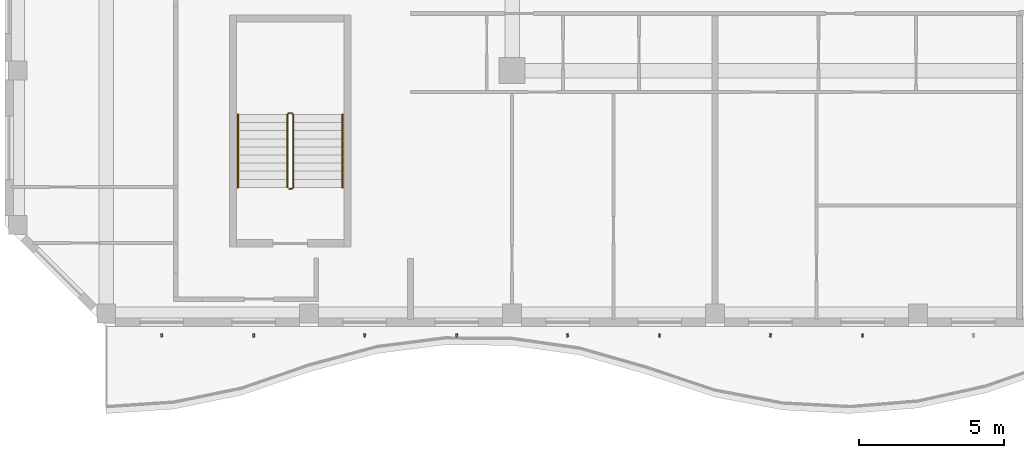
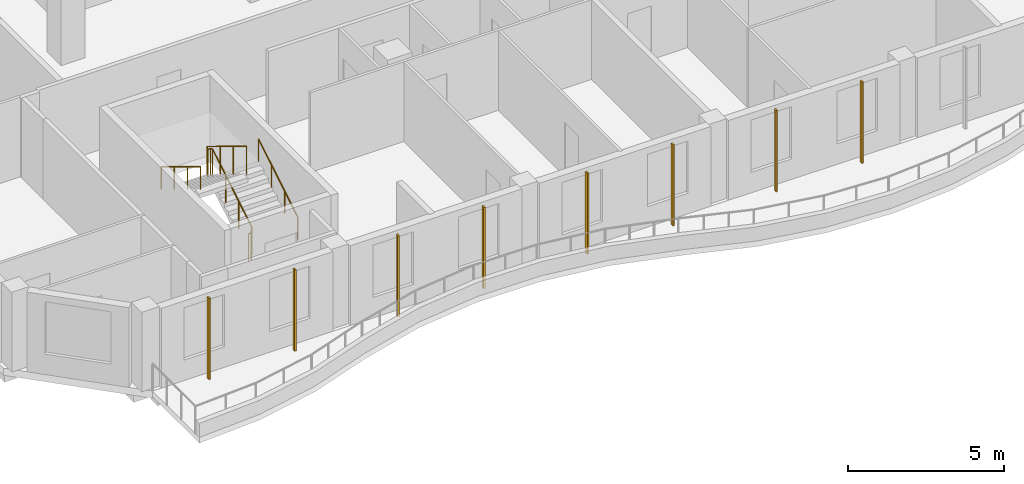
# One storey, part 12 of 18: 8 shading devices, 3 railings.
"""IFC4 building model written with IfcOpenShell, lengths in metres."""

from ifc_helpers import new_model, si_unit, direction, frame, origin, origin_2d, place, context, subcontext, project, spatial, rectangle, circle, extrude, source, transform, mapped, material, material_profile, profile_set, type_object, element, save


model = new_model("IFC4")

# Units and contexts
model_context = context("Model", 3, precision=1e-05, world=origin(), true_north=direction((0.0, 1.0)))
body_context = subcontext(model_context, "Body", "Model", "MODEL_VIEW")
ifc_project = project(units=[si_unit("LENGTHUNIT", "METRE"), si_unit("AREAUNIT", "SQUARE_METRE"), si_unit("VOLUMEUNIT", "CUBIC_METRE"), si_unit("PLANEANGLEUNIT", "RADIAN"), si_unit("MASSUNIT", "GRAM", prefix="KILO")], contexts=[model_context])

# Site, building, storey
site_placement = place(None, origin())
site = spatial("IfcSite", under=ifc_project, at=site_placement, CompositionType="ELEMENT")
building_placement = place(site_placement, origin())
building = spatial("IfcBuilding", under=site, at=building_placement, Name="Kilnfold Tower and Market Hall", CompositionType="ELEMENT")
storey_placement = place(building_placement, frame((0.0, 0.0, 277.199951171875)))
storey = spatial("IfcBuildingStorey", under=building, at=storey_placement, Name="L68", CompositionType="ELEMENT", Elevation=277.199951171875)

# Railings
ifc_material_1 = material(Name="Stainless steel 316", Category="steel")
railing_type_1 = type_object("IfcRailingType", Name="CORE STAIR GUARD 1100", PredefinedType="GUARDRAIL", material=ifc_material_1)
railing_1_placement = place(storey_placement, frame((-15.699951171875, -13.75, 0.0)))
element("IfcRailing", 1, at=railing_1_placement, inside=storey, type_object=railing_type_1, Name="L68 ST3 stair guard 1", PredefinedType="GUARDRAIL", context=body_context, shape_type="SweptSolid", body=[
    extrude(circle(Radius=0.02392578125, at=origin_2d()), frame((0.0, 0.0, 1.076171875), z_axis=(1.0, 0.0, 0.0), x_axis=(0.0, 1.0, 0.0)), (0.0, 0.0, 1.0), 0.099853515625),
    extrude(circle(Radius=0.02392578125, at=origin_2d()), frame((0.099853515625, 0.0, 1.076171875), z_axis=(0.271562723297, 0.271562723297, 0.923313259209), x_axis=(-0.707106781187, 0.707106781187, 0.0)), (0.0, 0.0, 1.0), 0.184326171875),
    extrude(circle(Radius=0.02392578125, at=origin_2d()), frame((0.14990234375, 0.050048828125, 1.24609375), z_axis=(0.0, 0.854821627497, 0.518921945155), x_axis=(-1.0, 0.0, 0.0)), (0.0, 0.0, 1.0), 2.947998046875),
    extrude(circle(Radius=0.02392578125, at=origin_2d()), frame((0.14990234375, 2.570068359375, 2.77587890625), z_axis=(-0.707106781187, 0.707106781187, 0.0), x_axis=(-0.707106781187, -0.707106781187, 0.0)), (0.0, 0.0, 1.0), 0.07080078125),
    extrude(circle(Radius=0.02392578125, at=origin_2d()), frame((0.099853515625, 2.6201171875, 2.77587890625), z_axis=(-1.0, 0.0, 0.0), x_axis=(0.0, -1.0, 0.0)), (0.0, 0.0, 1.0), 0.099853515625),
    extrude(circle(Radius=0.02392578125, at=origin_2d()), frame((0.0, 2.6201171875, 2.77587890625), z_axis=(-0.271562723297, -0.271562723297, 0.923313259209), x_axis=(0.707106781187, -0.707106781187, 0.0)), (0.0, 0.0, 1.0), 0.184326171875),
    extrude(circle(Radius=0.02392578125, at=origin_2d()), frame((-0.050048828125, 2.570068359375, 2.9462890625), z_axis=(0.0, -0.85478489116, 0.518982456201), x_axis=(1.0, 0.0, 0.0)), (0.0, 0.0, 1.0), 2.9482421875),
    extrude(circle(Radius=0.02099609375, at=origin_2d()), origin(), (0.0, 0.0, 1.0), 1.052001953125),
    extrude(circle(Radius=0.02099609375, at=origin_2d()), frame((0.099853515625, 0.0, 0.0)), (0.0, 0.0, 1.0), 1.052001953125),
    extrude(circle(Radius=0.02099609375, at=origin_2d()), frame((0.14990234375, 0.050048828125, 0.170166015625)), (0.0, 0.0, 1.0), 1.052001953125),
    extrude(circle(Radius=0.02099609375, at=origin_2d()), frame((0.14990234375, 0.89013671875, 0.68017578125)), (0.0, 0.0, 1.0), 1.052001953125),
    extrude(circle(Radius=0.02099609375, at=origin_2d()), frame((0.14990234375, 1.72998046875, 1.18994140625)), (0.0, 0.0, 1.0), 1.052001953125),
    extrude(circle(Radius=0.02099609375, at=origin_2d()), frame((0.14990234375, 2.570068359375, 1.699951171875)), (0.0, 0.0, 1.0), 1.052001953125),
    extrude(circle(Radius=0.02099609375, at=origin_2d()), frame((0.099853515625, 2.6201171875, 1.699951171875)), (0.0, 0.0, 1.0), 1.052001953125),
    extrude(circle(Radius=0.02099609375, at=origin_2d()), frame((0.0, 2.6201171875, 1.699951171875)), (0.0, 0.0, 1.0), 1.052001953125),
    extrude(circle(Radius=0.02099609375, at=origin_2d()), frame((-0.050048828125, 2.570068359375, 1.8701171875)), (0.0, 0.0, 1.0), 1.052001953125),
    extrude(circle(Radius=0.02099609375, at=origin_2d()), frame((-0.050048828125, 1.72998046875, 2.380126953125)), (0.0, 0.0, 1.0), 1.052001953125),
    extrude(circle(Radius=0.02099609375, at=origin_2d()), frame((-0.050048828125, 0.89013671875, 2.89013671875)), (0.0, 0.0, 1.0), 1.052001953125),
    extrude(circle(Radius=0.02099609375, at=origin_2d()), frame((-0.050048828125, 0.050048828125, 3.400146484375)), (0.0, 0.0, 1.0), 1.052001953125),
])
ifc_material_2 = material(Name="Stainless steel 316", Category="steel")
railing_type_2 = type_object("IfcRailingType", Name="CORE STAIR HANDRAIL 900", PredefinedType="HANDRAIL", material=ifc_material_2)
railing_2_placement = place(storey_placement, frame((-13.85009765625, -13.699951171875, 0.170166015625)))
element("IfcRailing", 2, at=railing_2_placement, inside=storey, type_object=railing_type_2, Name="L68 ST3 stair handrail 1", PredefinedType="HANDRAIL", context=body_context, shape_type="SweptSolid", body=[
    extrude(circle(Radius=0.02392578125, at=origin_2d()), frame((0.0, 0.0, 0.8759765625), z_axis=(0.0, 0.854821627497, 0.518921945155), x_axis=(-1.0, 0.0, 0.0)), (0.0, 0.0, 1.0), 2.947998046875),
    extrude(circle(Radius=0.02099609375, at=origin_2d()), origin(), (0.0, 0.0, 1.0), 0.851806640625),
    extrude(circle(Radius=0.02099609375, at=origin_2d()), frame((0.0, 0.840087890625, 0.510009765625)), (0.0, 0.0, 1.0), 0.851806640625),
    extrude(circle(Radius=0.02099609375, at=origin_2d()), frame((0.0, 1.679931640625, 1.019775390625)), (0.0, 0.0, 1.0), 0.851806640625),
    extrude(circle(Radius=0.02099609375, at=origin_2d()), frame((0.0, 2.52001953125, 1.52978515625)), (0.0, 0.0, 1.0), 0.851806640625),
])
railing_3_placement = place(storey_placement, frame((-17.449951171875, -11.179931640625, 1.8701171875)))
element("IfcRailing", 3, at=railing_3_placement, inside=storey, type_object=railing_type_2, Name="L68 ST3 stair handrail 2", PredefinedType="HANDRAIL", context=body_context, shape_type="SweptSolid", body=[
    extrude(circle(Radius=0.02392578125, at=origin_2d()), frame((0.0, 0.0, 0.8759765625), z_axis=(0.0, -0.85478489116, 0.518982456201), x_axis=(1.0, 0.0, 0.0)), (0.0, 0.0, 1.0), 2.9482421875),
    extrude(circle(Radius=0.02099609375, at=origin_2d()), origin(), (0.0, 0.0, 1.0), 0.851806640625),
    extrude(circle(Radius=0.02099609375, at=origin_2d()), frame((0.0, -0.840087890625, 0.510009765625)), (0.0, 0.0, 1.0), 0.851806640625),
    extrude(circle(Radius=0.02099609375, at=origin_2d()), frame((0.0, -1.679931640625, 1.02001953125)), (0.0, 0.0, 1.0), 0.851806640625),
    extrude(circle(Radius=0.02099609375, at=origin_2d()), frame((0.0, -2.52001953125, 1.530029296875)), (0.0, 0.0, 1.0), 0.851806640625),
])

# Shading devices
ifc_material_3 = material(Name="Terracotta", Category="masonry")
ifc_material_profile = material_profile(ifc_material_3, rectangle(XDim=0.06005859375, YDim=0.1201171875, at=origin_2d()), Name="BAG 60x120")
ifc_profile_set = profile_set([ifc_material_profile], Name="Terracotta")
shading_device_type = type_object("IfcShadingDeviceType", Name="BAGUETTE", PredefinedType="USERDEFINED", material=ifc_profile_set)
shared_shape = source(origin(), body_context, "Body", "SweptSolid", [
    extrude(rectangle(XDim=0.06005859375, YDim=0.1201171875, at=origin_2d()), origin(), (0.0, 0.0, 1.0), 3.179931640625),
])
for number, where, z_axis, x_axis, name in (
    (4, (-20.08740234375, -18.800048828125, 0.0), (0.0, 0.0, 1.0), (0.990272440505, 0.139141990702, 0.0), "Terracotta baguette L68 S"),
    (5, (-16.91259765625, -18.800048828125, 0.0), (0.0, 0.0, 1.0), (0.999730106876, 0.023231732749, 0.0), "Terracotta baguette L68 S"),
    (6, (-13.08740234375, -18.800048828125, 0.0), (0.0, 0.0, 1.0), (0.990272440505, -0.139141990702, 0.0), "Terracotta baguette L68 S"),
    (7, (-9.91259765625, -18.800048828125, 0.0), (0.0, 0.0, 1.0), (0.999730106876, -0.023231732749, 0.0), "Terracotta baguette L68 S"),
    (8, (-6.08740234375, -18.800048828125, 0.0), (0.0, 0.0, 1.0), (0.990272440505, 0.139141990702, 0.0), "Terracotta baguette L68 S"),
    (9, (-2.91259765625, -18.800048828125, 0.0), (0.0, 0.0, 1.0), (0.999730106876, 0.023231732749, 0.0), "Terracotta baguette L68 S"),
    (10, (0.91259765625, -18.800048828125, 0.0), (0.0, 0.0, 1.0), (0.990272440505, -0.139141990702, 0.0), "Terracotta baguette L68 S"),
    (11, (4.08740234375, -18.800048828125, 0.0), (0.0, 0.0, 1.0), (0.999730106876, -0.023231732749, 0.0), "Terracotta baguette L68 S"),
):
    element("IfcShadingDevice", number, at=place(storey_placement, frame(where, z_axis=z_axis, x_axis=x_axis)), inside=storey, type_object=shading_device_type, Name=name, ObjectType="BAGUETTE", PredefinedType="USERDEFINED", context=body_context, shape_type="MappedRepresentation", body=[
        mapped(shared_shape, transform((0.0, 0.0, 0.0))),
    ])

save(model, "model.ifc")
